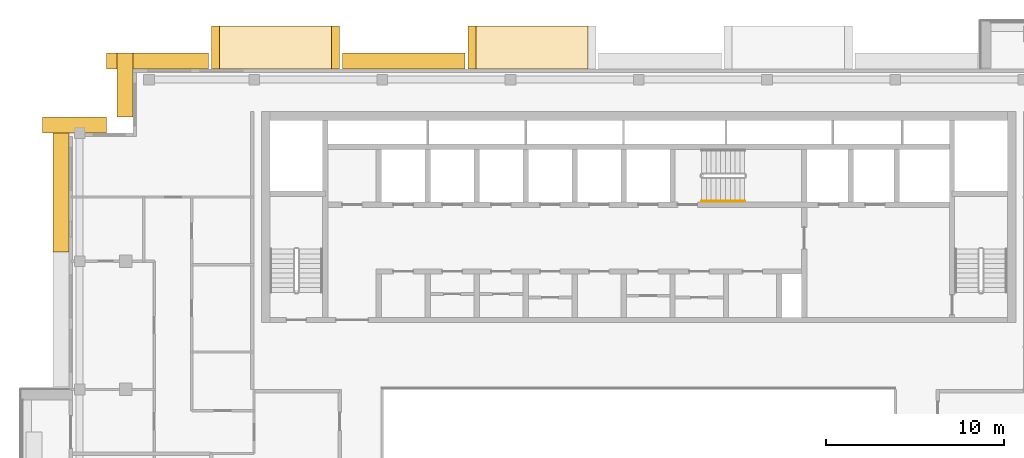
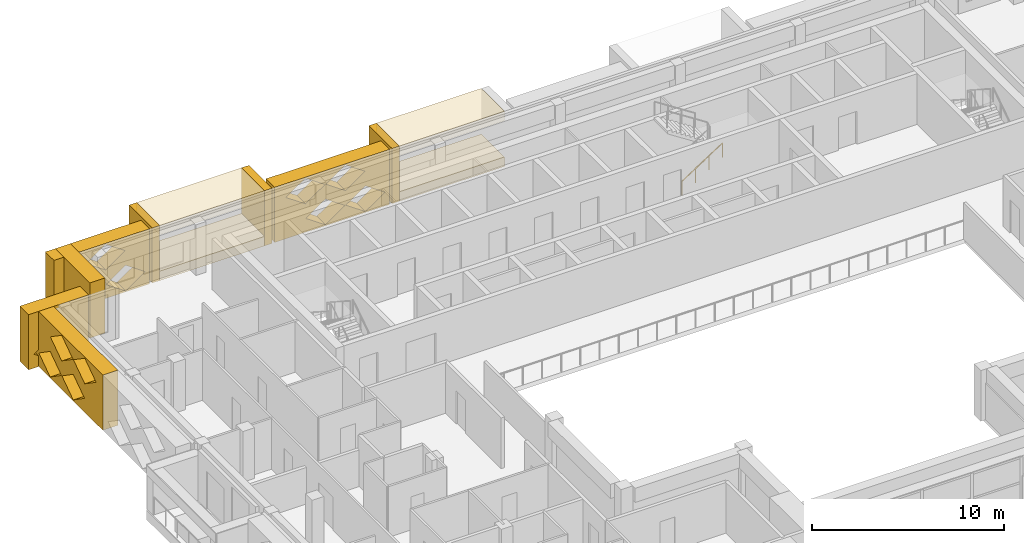
# One storey, part 16 of 18: 12 coverings, 1 railing.
"""IFC4 building model written with IfcOpenShell, lengths in metres."""

from ifc_helpers import new_model, si_unit, direction, frame, origin, origin_2d, place, context, subcontext, project, spatial, polyline, circle, outline, extrude, material, type_object, element, save


model = new_model("IFC4")

# Units and contexts
model_context = context("Model", 3, precision=1e-05, world=origin(), true_north=direction((0.0, 1.0)))
body_context = subcontext(model_context, "Body", "Model", "MODEL_VIEW")
ifc_project = project(units=[si_unit("LENGTHUNIT", "METRE"), si_unit("AREAUNIT", "SQUARE_METRE"), si_unit("VOLUMEUNIT", "CUBIC_METRE"), si_unit("PLANEANGLEUNIT", "RADIAN"), si_unit("MASSUNIT", "GRAM", prefix="KILO")], contexts=[model_context])

# Site, building, storey
site_placement = place(None, origin())
site = spatial("IfcSite", under=ifc_project, at=site_placement, CompositionType="ELEMENT")
building_placement = place(site_placement, origin())
building = spatial("IfcBuilding", under=site, at=building_placement, Name="Saffron Iwan Residences", CompositionType="ELEMENT")
storey_placement = place(building_placement, frame((0.0, 0.0, 260.5)))
storey = spatial("IfcBuildingStorey", under=building, at=storey_placement, Name="L70", CompositionType="ELEMENT", Elevation=260.5)

# Coverings
ifc_material_1 = material(Name="Precast concrete C40/50", Category="concrete")
covering_type_1 = type_object("IfcCoveringType", Name="OUTER SKIN LATTICE SCREEN", PredefinedType="CLADDING", material=ifc_material_1)
covering_1_placement = place(storey_placement, frame((40.64990234375, 80.39990234375, -0.280029296875), z_axis=(0.0, 1.0, 0.0), x_axis=(-1.0, 0.0, 0.0)))
element("IfcCovering", 1, at=covering_1_placement, inside=storey, type_object=covering_type_1, Name="OUTER SKIN lattice screen L70 F5.3", PredefinedType="CLADDING", context=body_context, shape_type="SweptSolid", body=[
    extrude(outline(polyline([(0.0, 0.0), (6.89990234375, 0.0), (6.89990234375, 3.5), (0.0, 3.5), (0.0, 0.0)]), holes=[polyline([(0.27001953125, 0.875), (1.449951171875, 0.06005859375), (2.6298828125, 0.875), (1.449951171875, 1.68994140625), (0.27001953125, 0.875)]), polyline([(2.669921875, 0.875), (3.85009765625, 0.06005859375), (5.030029296875, 0.875), (3.85009765625, 1.68994140625), (2.669921875, 0.875)]), polyline([(1.469970703125, 2.625), (2.64990234375, 1.81005859375), (3.830078125, 2.625), (2.64990234375, 3.43994140625), (1.469970703125, 2.625)]), polyline([(3.8701171875, 2.625), (5.050048828125, 1.81005859375), (6.22998046875, 2.625), (5.050048828125, 3.43994140625), (3.8701171875, 2.625)])]), origin(), (0.0, 0.0, 1.0), 0.900146484375),
])
covering_2_placement = place(storey_placement, frame((26.25, 80.39990234375, -0.280029296875), z_axis=(0.0, 1.0, 0.0), x_axis=(-1.0, 0.0, 0.0)))
element("IfcCovering", 2, at=covering_2_placement, inside=storey, type_object=covering_type_1, Name="OUTER SKIN lattice screen L70 F5.4", PredefinedType="CLADDING", context=body_context, shape_type="SweptSolid", body=[
    extrude(outline(polyline([(0.0, 0.0), (5.75, 0.0), (5.75, 3.5), (0.0, 3.5), (0.0, 0.0)]), holes=[polyline([(0.27001953125, 0.875), (1.449951171875, 0.06005859375), (2.6298828125, 0.875), (1.449951171875, 1.68994140625), (0.27001953125, 0.875)]), polyline([(2.669921875, 0.875), (3.85009765625, 0.06005859375), (5.030029296875, 0.875), (3.85009765625, 1.68994140625), (2.669921875, 0.875)]), polyline([(1.469970703125, 2.625), (2.64990234375, 1.81005859375), (3.830078125, 2.625), (2.64990234375, 3.43994140625), (1.469970703125, 2.625)])]), origin(), (0.0, 0.0, 1.0), 0.900146484375),
])
for number, where, z_axis, x_axis, name in (
    (3, (22.0, 81.300048828125, -0.280029296875), (-1.0, 0.0, 0.0), (0.0, -1.0, 0.0), "OUTER SKIN lattice screen L70 F6.0"),
    (4, (20.5, 76.800048828125, -0.280029296875), (0.0, 1.0, 0.0), (-1.0, 0.0, 0.0), "OUTER SKIN lattice screen L70 F7.0"),
):
    element("IfcCovering", number, at=place(storey_placement, frame(where, z_axis=z_axis, x_axis=x_axis)), inside=storey, type_object=covering_type_1, Name=name, PredefinedType="CLADDING", context=body_context, shape_type="SweptSolid", body=[
        extrude(outline(polyline([(0.0, 0.0), (3.60009765625, 0.0), (3.60009765625, 3.5), (0.0, 3.5), (0.0, 0.0)]), holes=[polyline([(0.919921875, 0.875), (2.10009765625, 0.06005859375), (3.280029296875, 0.875), (2.10009765625, 1.68994140625), (0.919921875, 0.875)])]), origin(), (0.0, 0.0, 1.0), 0.89990234375),
    ])
covering_3_placement = place(storey_placement, frame((18.39990234375, 77.699951171875, -0.280029296875), z_axis=(-1.0, 0.0, 0.0), x_axis=(0.0, -1.0, 0.0)))
element("IfcCovering", 5, at=covering_3_placement, inside=storey, type_object=covering_type_1, Name="OUTER SKIN lattice screen L70 F8.0", PredefinedType="CLADDING", context=body_context, shape_type="SweptSolid", body=[
    extrude(outline(polyline([(0.0, 0.0), (7.574951171875, 0.0), (7.574951171875, 3.5), (0.0, 3.5), (0.0, 0.0)]), holes=[polyline([(0.919921875, 0.875), (2.10009765625, 0.06005859375), (3.280029296875, 0.875), (2.10009765625, 1.68994140625), (0.919921875, 0.875)]), polyline([(3.320068359375, 0.875), (4.5, 0.06005859375), (5.679931640625, 0.875), (4.5, 1.68994140625), (3.320068359375, 0.875)]), polyline([(2.1201171875, 2.625), (3.300048828125, 1.81005859375), (4.47998046875, 2.625), (3.300048828125, 3.43994140625), (2.1201171875, 2.625)]), polyline([(4.52001953125, 2.625), (5.699951171875, 1.81005859375), (6.8798828125, 2.625), (5.699951171875, 3.43994140625), (4.52001953125, 2.625)])]), origin(), (0.0, 0.0, 1.0), 0.89990234375),
])

# Railing
ifc_material_2 = material(Name="Stainless steel 316", Category="steel")
railing_type = type_object("IfcRailingType", Name="Stair handrail 900", PredefinedType="HANDRAIL", material=ifc_material_2)
railing_placement = place(storey_placement, frame((53.925048828125, 72.97509765625, 0.175048828125)))
element("IfcRailing", 6, at=railing_placement, inside=storey, type_object=railing_type, Name="L70 ST-C stair handrail 1", PredefinedType="HANDRAIL", context=body_context, shape_type="SweptSolid", body=[
    extrude(circle(Radius=0.02392578125, at=origin_2d()), frame((0.0, 0.0, 0.8759765625), z_axis=(0.839153699163, 0.0, 0.543894354798), x_axis=(0.0, 1.0, 0.0)), (0.0, 0.0, 1.0), 2.895751953125),
    extrude(circle(Radius=0.02099609375, at=origin_2d()), origin(), (0.0, 0.0, 1.0), 0.851806640625),
    extrude(circle(Radius=0.02099609375, at=origin_2d()), frame((0.81005859375, 0.0, 0.52490234375)), (0.0, 0.0, 1.0), 0.851806640625),
    extrude(circle(Radius=0.02099609375, at=origin_2d()), frame((1.619873046875, 0.0, 1.050048828125)), (0.0, 0.0, 1.0), 0.851806640625),
    extrude(circle(Radius=0.02099609375, at=origin_2d()), frame((2.429931640625, 0.0, 1.574951171875)), (0.0, 0.0, 1.0), 0.851806640625),
])

# Coverings
ifc_material_3 = material(Name="Precast concrete C40/50 white painted", Category="concrete")
covering_type_2 = type_object("IfcCoveringType", Name="WHITE SUN FRAME PRECAST", PredefinedType="CLADDING", material=ifc_material_3)
covering_4_placement = place(storey_placement, frame((41.25, 80.39990234375, -0.280029296875), z_axis=(0.0, 1.0, 0.0), x_axis=(-1.0, 0.0, 0.0)))
element("IfcCovering", 7, at=covering_4_placement, inside=storey, type_object=covering_type_2, Name="Sun frame L70 F5 30.8b", PredefinedType="CLADDING", context=body_context, shape_type="SweptSolid", body=[
    extrude(outline(polyline([(0.0, 0.0), (0.449951171875, 0.0), (0.449951171875, 3.5), (0.0, 3.5), (0.0, 0.0)])), origin(), (0.0, 0.0, 1.0), 2.400146484375),
])
for number, where, z_axis, x_axis, name in (
    (8, (47.550048828125, 80.39990234375, 2.6201171875), (0.0, 1.0, 0.0), (-1.0, 0.0, 0.0), "Sun frame L70 F5 30.8h"),
    (9, (47.550048828125, 80.39990234375, -0.280029296875), (0.0, 1.0, 0.0), (-1.0, 0.0, 0.0), "Sun frame L70 F5 30.8s"),
):
    element("IfcCovering", number, at=place(storey_placement, frame(where, z_axis=z_axis, x_axis=x_axis)), inside=storey, type_object=covering_type_2, Name=name, PredefinedType="CLADDING", context=body_context, shape_type="SweptSolid", body=[
        extrude(outline(polyline([(0.0, 0.0), (6.300048828125, 0.0), (6.300048828125, 0.60009765625), (0.0, 0.60009765625), (0.0, 0.0)])), origin(), (0.0, 0.0, 1.0), 2.400146484375),
    ])
for number, where, z_axis, x_axis, name in (
    (10, (33.60009765625, 80.39990234375, -0.280029296875), (0.0, 1.0, 0.0), (-1.0, 0.0, 0.0), "Sun frame L70 F5 45.2a"),
    (11, (26.85009765625, 80.39990234375, -0.280029296875), (0.0, 1.0, 0.0), (-1.0, 0.0, 0.0), "Sun frame L70 F5 45.2b"),
):
    element("IfcCovering", number, at=place(storey_placement, frame(where, z_axis=z_axis, x_axis=x_axis)), inside=storey, type_object=covering_type_2, Name=name, PredefinedType="CLADDING", context=body_context, shape_type="SweptSolid", body=[
        extrude(outline(polyline([(0.0, 0.0), (0.449951171875, 0.0), (0.449951171875, 3.5), (0.0, 3.5), (0.0, 0.0)])), origin(), (0.0, 0.0, 1.0), 2.400146484375),
    ])
for number, where, z_axis, x_axis, name in (
    (12, (33.14990234375, 80.39990234375, 2.6201171875), (0.0, 1.0, 0.0), (-1.0, 0.0, 0.0), "Sun frame L70 F5 45.2h"),
    (13, (33.14990234375, 80.39990234375, -0.280029296875), (0.0, 1.0, 0.0), (-1.0, 0.0, 0.0), "Sun frame L70 F5 45.2s"),
):
    element("IfcCovering", number, at=place(storey_placement, frame(where, z_axis=z_axis, x_axis=x_axis)), inside=storey, type_object=covering_type_2, Name=name, PredefinedType="CLADDING", context=body_context, shape_type="SweptSolid", body=[
        extrude(outline(polyline([(0.0, 0.0), (6.300048828125, 0.0), (6.300048828125, 0.60009765625), (0.0, 0.60009765625), (0.0, 0.0)])), origin(), (0.0, 0.0, 1.0), 2.400146484375),
    ])

save(model, "model.ifc")
